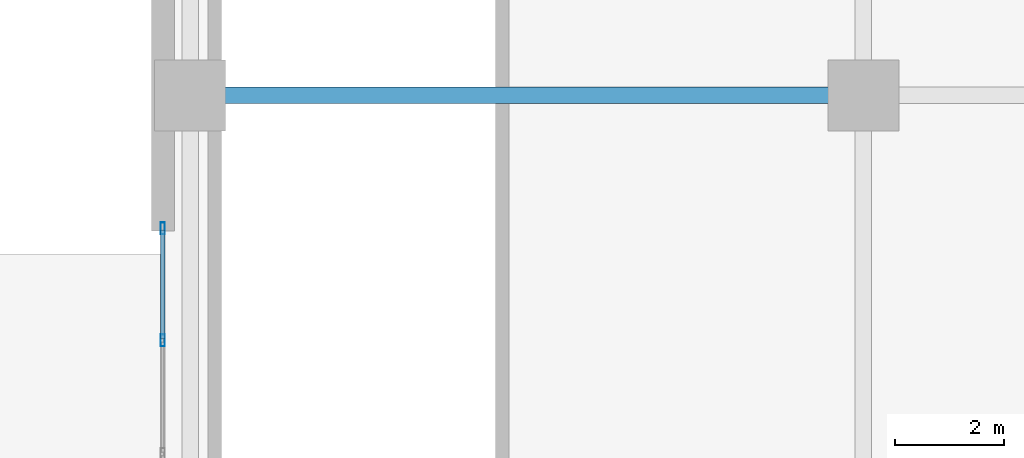
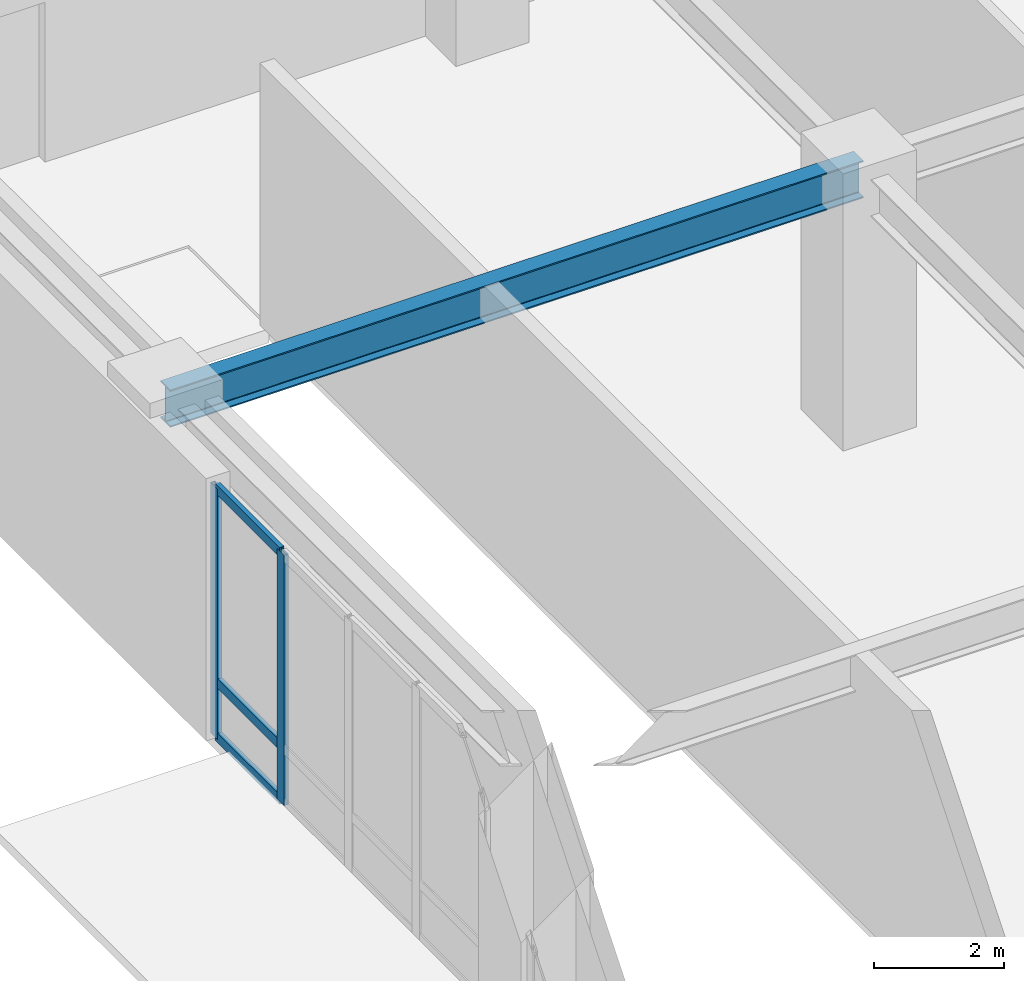
# One storey, part 10 of 23: 5 members, 1 beam, 1 element without a shape of its own.
"""IFC4 building model written with IfcOpenShell, lengths in metres."""

from ifc_helpers import new_model, si_unit, direction, frame, origin, origin_2d, place, context, subcontext, project, spatial, hollow_rectangle, i_section, extrude, material, layer, layer_set, material_profile, profile_set, type_object, element, aggregate, save


model = new_model("IFC4")

# Units and contexts
model_context = context("Model", 3, precision=1e-05, world=origin(), true_north=direction((0.0, 1.0)))
body_context = subcontext(model_context, "Body", "Model", "MODEL_VIEW")
ifc_project = project(units=[si_unit("LENGTHUNIT", "METRE"), si_unit("AREAUNIT", "SQUARE_METRE"), si_unit("VOLUMEUNIT", "CUBIC_METRE"), si_unit("PLANEANGLEUNIT", "RADIAN"), si_unit("MASSUNIT", "GRAM", prefix="KILO")], contexts=[model_context])

# Site, building, storey
site_placement = place(None, origin())
site = spatial("IfcSite", under=ifc_project, at=site_placement, CompositionType="ELEMENT")
building_placement = place(site_placement, origin())
building = spatial("IfcBuilding", under=site, at=building_placement, Name="Voryun Gate Residences", CompositionType="ELEMENT")
storey_placement = place(building_placement, origin())
storey = spatial("IfcBuildingStorey", under=building, at=storey_placement, Name="L00", CompositionType="ELEMENT", Elevation=0.0)

# Beam
ifc_material_1 = material(Name="Steel SM355", Category="steel")
ifc_material_profile_1 = material_profile(ifc_material_1, i_section(OverallWidth=0.300048828125, OverallDepth=0.699951171875, WebThickness=0.012939453125, FlangeThickness=0.02392578125, FilletRadius=0.01806640625, at=origin_2d()), Name="H-700x300x13x24")
ifc_profile_set_1 = profile_set([ifc_material_profile_1], Name="Steel SM355")
beam_type = type_object("IfcBeamType", Name="BM_GIRD_700", PredefinedType="USERDEFINED", material=ifc_profile_set_1)
beam_placement = place(storey_placement, frame((-37.89990234375, 11.39990234375, 4.570068359375), z_axis=(1.0, 0.0, 0.0), x_axis=(0.0, 1.0, 0.0)))
element("IfcBeam", 1, at=beam_placement, inside=storey, type_object=beam_type, Name="BM-L00-PWX-+11.4-0", ObjectType="GIRDER", PredefinedType="USERDEFINED", context=body_context, shape_type="SweptSolid", body=[
    extrude(i_section(OverallWidth=0.300048828125, OverallDepth=0.699951171875, WebThickness=0.012939453125, FlangeThickness=0.02392578125, FilletRadius=0.01806640625, at=origin_2d()), origin(), (0.0, 0.0, 1.0), 12.2998046875),
])

# Curtain wall, members
ifc_material_2 = material(Name="Anodised aluminium", Category="aluminium")
ifc_layer = layer(ifc_material_2, 0.219970703125, Name="CW_SYS_POD_DARK_GLASS")
ifc_layer_set = layer_set([ifc_layer], Name="Anodised aluminium")
curtain_wall_type = type_object("IfcCurtainWallType", Name="CW_SYS_POD_DARK_GLASS", PredefinedType="NOTDEFINED", material=ifc_layer_set)
curtain_wall_placement = place(storey_placement, origin())
curtain_wall = element("IfcCurtainWall", 2, at=curtain_wall_placement, inside=storey, type_object=curtain_wall_type, Name="Curtain wall CW1-L00-WPW-N", PredefinedType="NOTDEFINED")
ifc_material_3 = material(Name="Anodised aluminium", Category="aluminium")
ifc_material_profile_2 = material_profile(ifc_material_3, hollow_rectangle(XDim=0.080078125, YDim=0.219970703125, WallThickness=0.0048828125, at=origin_2d()), Name="ALU-MULL-220x80x5")
ifc_profile_set_2 = profile_set([ifc_material_profile_2], Name="Anodised aluminium")
member_type_1 = type_object("IfcMemberType", Name="CW_MULL_POD", PredefinedType="MULLION", material=ifc_profile_set_2)
member_1_placement = place(storey_placement, frame((-38.39990234375, 6.923828125, 0.0), z_axis=(0.0, 0.0, 1.0), x_axis=(-1.0, 0.0, 0.0)))
member_1 = element("IfcMember", 3, at=member_1_placement, type_object=member_type_1, Name="CW1 mullion 4", PredefinedType="MULLION", context=body_context, shape_type="SweptSolid", body=[
    extrude(hollow_rectangle(XDim=0.080078125, YDim=0.219970703125, WallThickness=0.0048828125, at=origin_2d()), origin(), (0.0, 0.0, 1.0), 4.699951171875),
])
member_2_placement = place(storey_placement, frame((-38.39990234375, 8.969970703125, 0.0), z_axis=(0.0, 0.0, 1.0), x_axis=(-1.0, 0.0, 0.0)))
member_2 = element("IfcMember", 4, at=member_2_placement, type_object=member_type_1, Name="CW1 mullion 5", PredefinedType="MULLION", context=body_context, shape_type="SweptSolid", body=[
    extrude(hollow_rectangle(XDim=0.080078125, YDim=0.219970703125, WallThickness=0.0048828125, at=origin_2d()), origin(), (0.0, 0.0, 1.0), 4.699951171875),
])
ifc_material_4 = material(Name="Anodised aluminium", Category="aluminium")
ifc_material_profile_3 = material_profile(ifc_material_4, hollow_rectangle(XDim=0.080078125, YDim=0.179931640625, WallThickness=0.0048828125, at=origin_2d()), Name="ALU-TRAN-180x80x5")
ifc_profile_set_3 = profile_set([ifc_material_profile_3], Name="Anodised aluminium")
member_type_2 = type_object("IfcMemberType", Name="CW_TRAN_POD", PredefinedType="USERDEFINED", material=ifc_profile_set_3)
member_3_placement = place(storey_placement, frame((-38.39990234375, 6.953857421875, 0.030029296875), z_axis=(0.0, 1.0, 0.0), x_axis=(-1.0, 0.0, 0.0)))
member_3 = element("IfcMember", 5, at=member_3_placement, type_object=member_type_2, Name="CW1 transom 4.1", ObjectType="TRANSOM", PredefinedType="USERDEFINED", context=body_context, shape_type="SweptSolid", body=[
    extrude(hollow_rectangle(XDim=0.080078125, YDim=0.179931640625, WallThickness=0.0048828125, at=origin_2d()), origin(), (0.0, 0.0, 1.0), 1.986083984375),
])
member_4_placement = place(storey_placement, frame((-38.39990234375, 6.953857421875, 1.050048828125), z_axis=(0.0, 1.0, 0.0), x_axis=(-1.0, 0.0, 0.0)))
member_4 = element("IfcMember", 6, at=member_4_placement, type_object=member_type_2, Name="CW1 transom 4.2", ObjectType="TRANSOM", PredefinedType="USERDEFINED", context=body_context, shape_type="SweptSolid", body=[
    extrude(hollow_rectangle(XDim=0.080078125, YDim=0.179931640625, WallThickness=0.0048828125, at=origin_2d()), origin(), (0.0, 0.0, 1.0), 1.986083984375),
])
member_5_placement = place(storey_placement, frame((-38.39990234375, 6.953857421875, 4.669921875), z_axis=(0.0, 1.0, 0.0), x_axis=(-1.0, 0.0, 0.0)))
member_5 = element("IfcMember", 7, at=member_5_placement, type_object=member_type_2, Name="CW1 transom 4.3", ObjectType="TRANSOM", PredefinedType="USERDEFINED", context=body_context, shape_type="SweptSolid", body=[
    extrude(hollow_rectangle(XDim=0.080078125, YDim=0.179931640625, WallThickness=0.0048828125, at=origin_2d()), origin(), (0.0, 0.0, 1.0), 1.986083984375),
])
aggregate(curtain_wall, [member_1, member_2, member_3, member_4, member_5])

save(model, "model.ifc")
